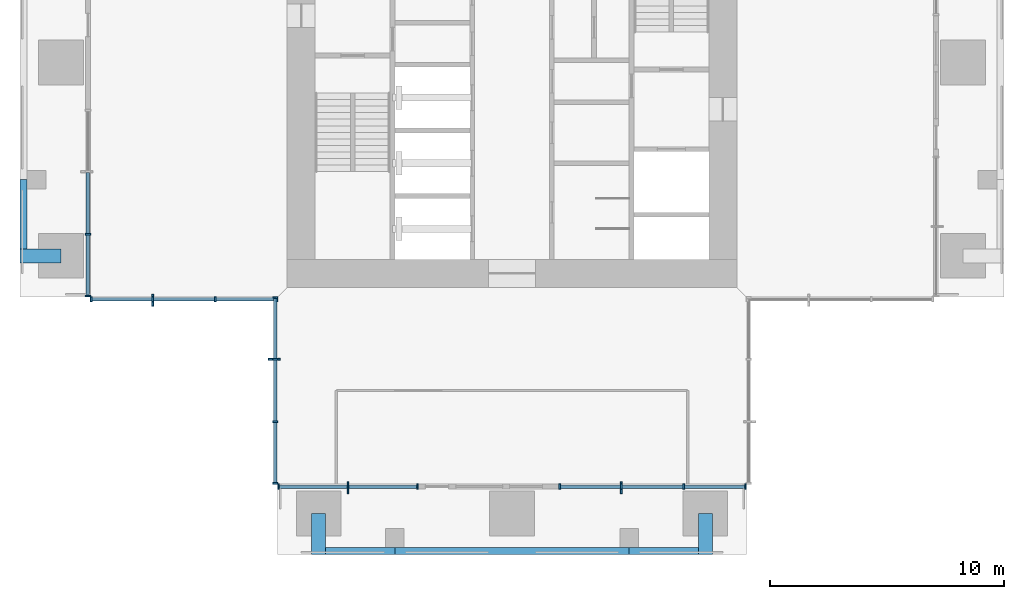
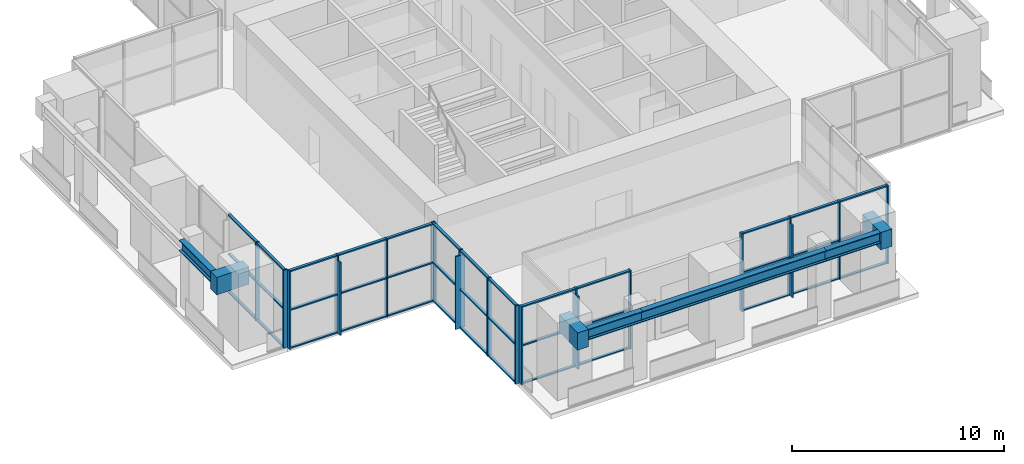
# One storey, part 2 of 11: 60 members, 7 beams, 5 elements without a shape of their own.
"""IFC4 building model written with IfcOpenShell, lengths in metres."""

import ifcopenshell
import ifcopenshell.guid

model = None  # the IFC model being written
_history = None  # IfcOwnerHistory: only IFC2X3 demands one
_inside = {}  # id of a spatial element -> (the spatial element, [elements in it])
_under = {}  # id of a project, library or spatial element -> (it, [spatial elements below it])
_declared = {}  # id of a project -> (the project, [libraries it declares])
_typed = {}  # id of a type object -> (the type object, [elements of that type])
_made_of = {}  # id of a material, layer set ... -> (it, [elements and type objects made of it])


def new_model(schema):
    """Start an empty IFC model of exactly this schema.

    Asked for "IFC4X3", IfcOpenShell would pick the latest addendum, in which some entities
    have other attributes; the version numbers below select the first issue.
    IFC2X3 requires an IfcOwnerHistory on every rooted entity: one is made here for all.
    """
    global model, _history
    if schema == "IFC4X3":
        model = ifcopenshell.file(schema_version=(4, 3, 0, 0))
    else:
        model = ifcopenshell.file(schema=schema)
    _inside.clear()
    _under.clear()
    _declared.clear()
    _typed.clear()
    _made_of.clear()
    _history = None
    if model.schema == "IFC2X3":
        org = make("IfcOrganization", Name="unknown")
        user = make(
            "IfcPersonAndOrganization",
            ThePerson=make("IfcPerson", FamilyName="unknown"),
            TheOrganization=org,
        )
        app = make(
            "IfcApplication",
            ApplicationDeveloper=org,
            Version="unknown",
            ApplicationFullName="unknown",
            ApplicationIdentifier="unknown",
        )
        _history = make(
            "IfcOwnerHistory",
            OwningUser=user,
            OwningApplication=app,
            ChangeAction="ADDED",
            CreationDate=0,
        )
    return model


def make(cls, **values):
    """One entity of the class cls with the attributes given. An attribute that is None is left unset."""
    return model.create_entity(
        cls, **{name: value for name, value in values.items() if value is not None}
    )


def rooted(cls, **values):
    """An entity with a GlobalId (a new one), such as an element, a storey or a relation."""
    return make(cls, GlobalId=ifcopenshell.guid.new(), OwnerHistory=_history, **values)


def si_unit(unit_type, name, prefix=None):
    """IfcSIUnit, for example si_unit("LENGTHUNIT", "METRE", prefix="MILLI")."""
    return make("IfcSIUnit", UnitType=unit_type, Prefix=prefix, Name=name)


def assignment(units):
    """IfcUnitAssignment: the units of a project."""
    return None if units is None else make("IfcUnitAssignment", Units=units)


def point(xyz):
    """IfcCartesianPoint."""
    return None if xyz is None else make("IfcCartesianPoint", Coordinates=xyz)


def direction(xyz):
    """IfcDirection."""
    return None if xyz is None else make("IfcDirection", DirectionRatios=xyz)


def frame(location, z_axis=None, x_axis=None):
    """IfcAxis2Placement3D, a coordinate frame: its origin and axes. An axis left out is left unset."""
    return make(
        "IfcAxis2Placement3D",
        Location=point(location),
        Axis=direction(z_axis),
        RefDirection=direction(x_axis),
    )


def frame_2d(location, x_axis=None):
    """IfcAxis2Placement2D, a coordinate frame in the plane: its origin and x axis."""
    return make(
        "IfcAxis2Placement2D", Location=point(location), RefDirection=direction(x_axis)
    )


def origin():
    """The frame at (0, 0, 0) with its axes left unset."""
    return frame((0.0, 0.0, 0.0))


def origin_2d():
    """The frame at (0, 0) in the plane with its x axis left unset."""
    return frame_2d((0.0, 0.0))


def place(relative_to, where):
    """IfcLocalPlacement: puts the frame where relative to a parent placement (None: the world)."""
    return make(
        "IfcLocalPlacement", PlacementRelTo=relative_to, RelativePlacement=where
    )


def context(
    kind, dimensions, precision=None, world=None, true_north=None, identifier=None
):
    """IfcGeometricRepresentationContext, for example the 3D "Model" context."""
    return make(
        "IfcGeometricRepresentationContext",
        ContextIdentifier=identifier,
        ContextType=kind,
        CoordinateSpaceDimension=dimensions,
        Precision=precision,
        WorldCoordinateSystem=world,
        TrueNorth=true_north,
    )


def subcontext(parent, identifier, kind, view, scale=None):
    """IfcGeometricRepresentationSubContext, for example "Body" below "Model"."""
    return make(
        "IfcGeometricRepresentationSubContext",
        ContextIdentifier=identifier,
        ContextType=kind,
        ParentContext=parent,
        TargetScale=scale,
        TargetView=view,
    )


def project(units=None, contexts=None):
    """IfcProject with its units and contexts."""
    return rooted(
        "IfcProject",
        Name="project",
        RepresentationContexts=contexts,
        UnitsInContext=assignment(units),
    )


def spatial(cls, under=None, at=None, **own):
    """A site, building, storey or space (cls), placed at a placement, below another one or the project."""
    s = rooted(cls, ObjectPlacement=at, **own)
    if under is not None:
        _under.setdefault(under.id(), (under, []))[1].append(s)
    return s


def profile(cls, at=None, kind="AREA", **sizes):
    """A parametric profile (cls). Its sizes go by their IFC names, for example OverallWidth=200.0."""
    return make(cls, ProfileType=kind, Position=at, **sizes)


def rectangle(**sizes):
    """IfcRectangleProfileDef."""
    return profile("IfcRectangleProfileDef", **sizes)


def i_section(**sizes):
    """IfcIShapeProfileDef."""
    return profile("IfcIShapeProfileDef", **sizes)


def extrude(swept, where, along, depth):
    """IfcExtrudedAreaSolid: the profile swept, set in the frame where, extruded along a direction by depth."""
    return make(
        "IfcExtrudedAreaSolid",
        SweptArea=swept,
        Position=where,
        ExtrudedDirection=direction(along),
        Depth=depth,
    )


def shape(context_of_items, identifier, shape_type, items):
    """IfcShapeRepresentation: the items that make up one representation, for example the "Body"."""
    return make(
        "IfcShapeRepresentation",
        ContextOfItems=context_of_items,
        RepresentationIdentifier=identifier,
        RepresentationType=shape_type,
        Items=items,
    )


def material(Name=None, Category=None):
    """IfcMaterial."""
    return make("IfcMaterial", Name=Name, Category=Category)


def material_profile(
    of_material, cross_section, Name=None, Category=None, Priority=None
):
    """IfcMaterialProfile: a cross section and its material."""
    return make(
        "IfcMaterialProfile",
        Name=Name,
        Material=of_material,
        Profile=cross_section,
        Priority=Priority,
        Category=Category,
    )


def profile_set(profiles, Name=None, composite=None):
    """IfcMaterialProfileSet."""
    return make(
        "IfcMaterialProfileSet",
        Name=Name,
        MaterialProfiles=profiles,
        CompositeProfile=composite,
    )


def made_of(thing, what):
    """Note that an element or type object is made of a material, layer set ...; save() writes the relation."""
    if what is not None:
        _made_of.setdefault(what.id(), (what, []))[1].append(thing)
    return thing


def type_object(cls, material=None, **own):
    """A type object (cls), such as IfcWallType, which elements share."""
    return made_of(rooted(cls, **own), material)


def element(
    cls,
    number,
    at=None,
    inside=None,
    cuts=None,
    type_object=None,
    material=None,
    context=None,
    identifier="Body",
    shape_type=None,
    held_by="IfcProductDefinitionShape",
    body=None,
    shapes=None,
    **own,
):
    """One element of the class cls, such as IfcWall. Its Tag is "e" and its number.

    at: its placement. inside: the storey or other place that contains it. cuts: it is an
    opening in that element (IfcRelVoidsElement). A single representation is given by context,
    identifier, shape_type and body (its items); several are given by shapes. held_by: the class
    of the entity that holds the representations. save() writes the other relations.
    """
    e = rooted(cls, Tag="e%d" % number, ObjectPlacement=at, **own)
    if body is not None:
        shapes = [shape(context, identifier, shape_type, body)]
    if shapes is not None:
        e.Representation = make(held_by, Representations=shapes)
    if inside is not None:
        _inside.setdefault(inside.id(), (inside, []))[1].append(e)
    if cuts is not None:
        rooted(
            "IfcRelVoidsElement", RelatingBuildingElement=cuts, RelatedOpeningElement=e
        )
    if type_object is not None:
        _typed.setdefault(type_object.id(), (type_object, []))[1].append(e)
    return made_of(e, material)


def aggregate(whole, parts):
    """IfcRelAggregates: a whole, such as a stair, and the parts it consists of."""
    return rooted("IfcRelAggregates", RelatingObject=whole, RelatedObjects=parts)


def save(model, path):
    """Write the relations noted so far, then the file.

    IfcRelAggregates (storeys below a building ...), IfcRelContainedInSpatialStructure (elements
    in a storey), IfcRelDefinesByType, IfcRelAssociatesMaterial and IfcRelDeclares: one each for
    every whole, place, type object, material and project.
    """
    for whole, parts in _under.values():
        aggregate(whole, parts)
    for where, things in _inside.values():
        rooted(
            "IfcRelContainedInSpatialStructure",
            RelatedElements=things,
            RelatingStructure=where,
        )
    for kind, things in _typed.values():
        rooted("IfcRelDefinesByType", RelatedObjects=things, RelatingType=kind)
    for what, things in _made_of.values():
        rooted("IfcRelAssociatesMaterial", RelatedObjects=things, RelatingMaterial=what)
    for by, libraries in _declared.values():
        rooted("IfcRelDeclares", RelatingContext=by, RelatedDefinitions=libraries)
    model.write(path)


model = new_model("IFC4")

# Units and contexts
model_context = context("Model", 3, precision=1e-05, world=origin(), true_north=direction((0.0, 1.0)))
body_context = subcontext(model_context, "Body", "Model", "MODEL_VIEW")
ifc_project = project(units=[si_unit("LENGTHUNIT", "METRE"), si_unit("AREAUNIT", "SQUARE_METRE"), si_unit("VOLUMEUNIT", "CUBIC_METRE"), si_unit("PLANEANGLEUNIT", "RADIAN"), si_unit("MASSUNIT", "GRAM", prefix="KILO")], contexts=[model_context])

# Site, building, storey
site_placement = place(None, origin())
site = spatial("IfcSite", under=ifc_project, at=site_placement, CompositionType="ELEMENT")
building_placement = place(site_placement, origin())
building = spatial("IfcBuilding", under=site, at=building_placement, Name="Svetlomir Tower", CompositionType="ELEMENT")
storey_placement = place(building_placement, frame((0.0, 0.0, 273.39990234375)))
storey = spatial("IfcBuildingStorey", under=building, at=storey_placement, Name="L65", CompositionType="ELEMENT", Elevation=273.39990234375)

# Curtain wall, member
ifc_material_1 = material(Name="Bronze anodised aluminium curtain wall", Category="aluminium")
curtain_wall_type = type_object("IfcCurtainWallType", Name="CURTAIN WALL CW4 EXECUTIVE", PredefinedType="NOTDEFINED", material=ifc_material_1)
curtain_wall_1_placement = place(storey_placement, origin())
curtain_wall_1 = element("IfcCurtainWall", 1, at=curtain_wall_1_placement, inside=storey, type_object=curtain_wall_type, Name="Curtain wall CW4 L65", PredefinedType="NOTDEFINED")
ifc_material_2 = material(Name="Bronze anodised aluminium", Category="aluminium")
ifc_material_profile_1 = material_profile(ifc_material_2, rectangle(XDim=0.080078125, YDim=0.5, at=origin_2d()), Name="FIN 80x500")
ifc_profile_set_1 = profile_set([ifc_material_profile_1], Name="Bronze anodised aluminium 6063-T6")
member_type_1 = type_object("IfcMemberType", Name="BRONZE FIN 80x500", PredefinedType="USERDEFINED", material=ifc_profile_set_1)
member_1_placement = place(storey_placement, frame((14.0, 2.85009765625, 0.0), z_axis=(0.0, 0.0, 1.0), x_axis=(1.0, 0.0, 0.0)))
member_1 = element("IfcMember", 2, at=member_1_placement, type_object=member_type_1, Name="Bronze fin L65", ObjectType="FIN", PredefinedType="USERDEFINED", context=body_context, shape_type="SweptSolid", body=[
    extrude(rectangle(XDim=0.080078125, YDim=0.5, at=origin_2d()), origin(), (0.0, 0.0, 1.0), 4.2001953125),
])

curtain_wall_2_placement = place(storey_placement, origin())
curtain_wall_2 = element("IfcCurtainWall", 3, at=curtain_wall_2_placement, inside=storey, type_object=curtain_wall_type, Name="Curtain wall CW4 L65", PredefinedType="NOTDEFINED")
member_2_placement = place(storey_placement, frame((25.666748046875, 2.85009765625, 0.0), z_axis=(0.0, 0.0, 1.0), x_axis=(1.0, 0.0, 0.0)))
member_2 = element("IfcMember", 4, at=member_2_placement, type_object=member_type_1, Name="Bronze fin L65", ObjectType="FIN", PredefinedType="USERDEFINED", context=body_context, shape_type="SweptSolid", body=[
    extrude(rectangle(XDim=0.080078125, YDim=0.5, at=origin_2d()), origin(), (0.0, 0.0, 1.0), 4.2001953125),
])

curtain_wall_3_placement = place(storey_placement, origin())
curtain_wall_3 = element("IfcCurtainWall", 5, at=curtain_wall_3_placement, inside=storey, type_object=curtain_wall_type, Name="Curtain wall CW4 L65", PredefinedType="NOTDEFINED")
member_3_placement = place(storey_placement, frame((5.666748046875, 10.85009765625, 0.0), z_axis=(0.0, 0.0, 1.0), x_axis=(1.0, 0.0, 0.0)))
member_3 = element("IfcMember", 6, at=member_3_placement, type_object=member_type_1, Name="Bronze fin L65", ObjectType="FIN", PredefinedType="USERDEFINED", context=body_context, shape_type="SweptSolid", body=[
    extrude(rectangle(XDim=0.080078125, YDim=0.5, at=origin_2d()), origin(), (0.0, 0.0, 1.0), 4.2001953125),
])

curtain_wall_4_placement = place(storey_placement, origin())
curtain_wall_4 = element("IfcCurtainWall", 7, at=curtain_wall_4_placement, inside=storey, type_object=curtain_wall_type, Name="Curtain wall CW4 L65", PredefinedType="NOTDEFINED")
member_4_placement = place(storey_placement, frame((10.85009765625, 8.333251953125, 0.0), z_axis=(0.0, 0.0, 1.0), x_axis=(0.0, 1.0, 0.0)))
member_4 = element("IfcMember", 8, at=member_4_placement, type_object=member_type_1, Name="Bronze fin L65", ObjectType="FIN", PredefinedType="USERDEFINED", context=body_context, shape_type="SweptSolid", body=[
    extrude(rectangle(XDim=0.080078125, YDim=0.5, at=origin_2d()), origin(), (0.0, 0.0, 1.0), 4.2001953125),
])

# Member
ifc_material_3 = material(Name="Bronze anodised aluminium", Category="aluminium")
ifc_material_profile_2 = material_profile(ifc_material_3, rectangle(XDim=0.074951171875, YDim=0.219970703125, at=origin_2d()), Name="AL 75x220")
ifc_profile_set_2 = profile_set([ifc_material_profile_2], Name="Bronze anodised aluminium 6063-T6")
member_type_2 = type_object("IfcMemberType", Name="CW4 MULLION 75x220", PredefinedType="MULLION", material=ifc_profile_set_2)
member_5_placement = place(storey_placement, frame((11.03759765625, 2.89990234375, 0.0), z_axis=(0.0, 0.0, 1.0), x_axis=(1.0, 0.0, 0.0)))
member_5 = element("IfcMember", 9, at=member_5_placement, type_object=member_type_2, Name="CW4 mullion 1", PredefinedType="MULLION", context=body_context, shape_type="SweptSolid", body=[
    extrude(rectangle(XDim=0.074951171875, YDim=0.219970703125, at=origin_2d()), origin(), (0.0, 0.0, 1.0), 4.5),
])

member_6_placement = place(storey_placement, frame((14.0, 2.89990234375, 0.0), z_axis=(0.0, 0.0, 1.0), x_axis=(1.0, 0.0, 0.0)))
member_6 = element("IfcMember", 10, at=member_6_placement, type_object=member_type_2, Name="CW4 mullion 2", PredefinedType="MULLION", context=body_context, shape_type="SweptSolid", body=[
    extrude(rectangle(XDim=0.074951171875, YDim=0.219970703125, at=origin_2d()), origin(), (0.0, 0.0, 1.0), 4.5),
])

member_7_placement = place(storey_placement, frame((16.96240234375, 2.89990234375, 0.0), z_axis=(0.0, 0.0, 1.0), x_axis=(1.0, 0.0, 0.0)))
member_7 = element("IfcMember", 11, at=member_7_placement, type_object=member_type_2, Name="CW4 mullion 3", PredefinedType="MULLION", context=body_context, shape_type="SweptSolid", body=[
    extrude(rectangle(XDim=0.074951171875, YDim=0.219970703125, at=origin_2d()), origin(), (0.0, 0.0, 1.0), 4.5),
])

member_8_placement = place(storey_placement, frame((23.03759765625, 2.89990234375, 0.0), z_axis=(0.0, 0.0, 1.0), x_axis=(1.0, 0.0, 0.0)))
member_8 = element("IfcMember", 12, at=member_8_placement, type_object=member_type_2, Name="CW4 mullion 1", PredefinedType="MULLION", context=body_context, shape_type="SweptSolid", body=[
    extrude(rectangle(XDim=0.074951171875, YDim=0.219970703125, at=origin_2d()), origin(), (0.0, 0.0, 1.0), 4.5),
])

member_9_placement = place(storey_placement, frame((25.666748046875, 2.89990234375, 0.0), z_axis=(0.0, 0.0, 1.0), x_axis=(1.0, 0.0, 0.0)))
member_9 = element("IfcMember", 13, at=member_9_placement, type_object=member_type_2, Name="CW4 mullion 2", PredefinedType="MULLION", context=body_context, shape_type="SweptSolid", body=[
    extrude(rectangle(XDim=0.074951171875, YDim=0.219970703125, at=origin_2d()), origin(), (0.0, 0.0, 1.0), 4.5),
])

member_10_placement = place(storey_placement, frame((28.333251953125, 2.89990234375, 0.0), z_axis=(0.0, 0.0, 1.0), x_axis=(1.0, 0.0, 0.0)))
member_10 = element("IfcMember", 14, at=member_10_placement, type_object=member_type_2, Name="CW4 mullion 3", PredefinedType="MULLION", context=body_context, shape_type="SweptSolid", body=[
    extrude(rectangle(XDim=0.074951171875, YDim=0.219970703125, at=origin_2d()), origin(), (0.0, 0.0, 1.0), 4.5),
])

member_11_placement = place(storey_placement, frame((30.96240234375, 2.89990234375, 0.0), z_axis=(0.0, 0.0, 1.0), x_axis=(1.0, 0.0, 0.0)))
member_11 = element("IfcMember", 15, at=member_11_placement, type_object=member_type_2, Name="CW4 mullion 4", PredefinedType="MULLION", context=body_context, shape_type="SweptSolid", body=[
    extrude(rectangle(XDim=0.074951171875, YDim=0.219970703125, at=origin_2d()), origin(), (0.0, 0.0, 1.0), 4.5),
])

# Curtain wall, members
curtain_wall_5_placement = place(storey_placement, origin())
curtain_wall_5 = element("IfcCurtainWall", 16, at=curtain_wall_5_placement, inside=storey, type_object=curtain_wall_type, Name="Curtain wall CW4 L65", PredefinedType="NOTDEFINED")
member_12_placement = place(storey_placement, frame((2.89990234375, 13.666748046875, 0.0), z_axis=(0.0, 0.0, 1.0), x_axis=(0.0, -1.0, 0.0)))
member_12 = element("IfcMember", 17, at=member_12_placement, type_object=member_type_2, Name="CW4 mullion 3", PredefinedType="MULLION", context=body_context, shape_type="SweptSolid", body=[
    extrude(rectangle(XDim=0.074951171875, YDim=0.219970703125, at=origin_2d()), origin(), (0.0, 0.0, 1.0), 4.5),
])
member_13_placement = place(storey_placement, frame((2.89990234375, 11.03759765625, 0.0), z_axis=(0.0, 0.0, 1.0), x_axis=(0.0, -1.0, 0.0)))
member_13 = element("IfcMember", 18, at=member_13_placement, type_object=member_type_2, Name="CW4 mullion 4", PredefinedType="MULLION", context=body_context, shape_type="SweptSolid", body=[
    extrude(rectangle(XDim=0.074951171875, YDim=0.219970703125, at=origin_2d()), origin(), (0.0, 0.0, 1.0), 4.5),
])

# Member
member_14_placement = place(storey_placement, frame((3.03759765625, 10.89990234375, 0.0), z_axis=(0.0, 0.0, 1.0), x_axis=(1.0, 0.0, 0.0)))
member_14 = element("IfcMember", 19, at=member_14_placement, type_object=member_type_2, Name="CW4 mullion 1", PredefinedType="MULLION", context=body_context, shape_type="SweptSolid", body=[
    extrude(rectangle(XDim=0.074951171875, YDim=0.219970703125, at=origin_2d()), origin(), (0.0, 0.0, 1.0), 4.5),
])

member_15_placement = place(storey_placement, frame((5.666748046875, 10.89990234375, 0.0), z_axis=(0.0, 0.0, 1.0), x_axis=(1.0, 0.0, 0.0)))
member_15 = element("IfcMember", 20, at=member_15_placement, type_object=member_type_2, Name="CW4 mullion 2", PredefinedType="MULLION", context=body_context, shape_type="SweptSolid", body=[
    extrude(rectangle(XDim=0.074951171875, YDim=0.219970703125, at=origin_2d()), origin(), (0.0, 0.0, 1.0), 4.5),
])

member_16_placement = place(storey_placement, frame((8.333251953125, 10.89990234375, 0.0), z_axis=(0.0, 0.0, 1.0), x_axis=(1.0, 0.0, 0.0)))
member_16 = element("IfcMember", 21, at=member_16_placement, type_object=member_type_2, Name="CW4 mullion 3", PredefinedType="MULLION", context=body_context, shape_type="SweptSolid", body=[
    extrude(rectangle(XDim=0.074951171875, YDim=0.219970703125, at=origin_2d()), origin(), (0.0, 0.0, 1.0), 4.5),
])

member_17_placement = place(storey_placement, frame((10.96240234375, 10.89990234375, 0.0), z_axis=(0.0, 0.0, 1.0), x_axis=(1.0, 0.0, 0.0)))
member_17 = element("IfcMember", 22, at=member_17_placement, type_object=member_type_2, Name="CW4 mullion 4", PredefinedType="MULLION", context=body_context, shape_type="SweptSolid", body=[
    extrude(rectangle(XDim=0.074951171875, YDim=0.219970703125, at=origin_2d()), origin(), (0.0, 0.0, 1.0), 4.5),
])

member_18_placement = place(storey_placement, frame((10.89990234375, 10.96240234375, 0.0), z_axis=(0.0, 0.0, 1.0), x_axis=(0.0, -1.0, 0.0)))
member_18 = element("IfcMember", 23, at=member_18_placement, type_object=member_type_2, Name="CW4 mullion 1", PredefinedType="MULLION", context=body_context, shape_type="SweptSolid", body=[
    extrude(rectangle(XDim=0.074951171875, YDim=0.219970703125, at=origin_2d()), origin(), (0.0, 0.0, 1.0), 4.5),
])

member_19_placement = place(storey_placement, frame((10.89990234375, 8.333251953125, 0.0), z_axis=(0.0, 0.0, 1.0), x_axis=(0.0, -1.0, 0.0)))
member_19 = element("IfcMember", 24, at=member_19_placement, type_object=member_type_2, Name="CW4 mullion 2", PredefinedType="MULLION", context=body_context, shape_type="SweptSolid", body=[
    extrude(rectangle(XDim=0.074951171875, YDim=0.219970703125, at=origin_2d()), origin(), (0.0, 0.0, 1.0), 4.5),
])

member_20_placement = place(storey_placement, frame((10.89990234375, 5.666748046875, 0.0), z_axis=(0.0, 0.0, 1.0), x_axis=(0.0, -1.0, 0.0)))
member_20 = element("IfcMember", 25, at=member_20_placement, type_object=member_type_2, Name="CW4 mullion 3", PredefinedType="MULLION", context=body_context, shape_type="SweptSolid", body=[
    extrude(rectangle(XDim=0.074951171875, YDim=0.219970703125, at=origin_2d()), origin(), (0.0, 0.0, 1.0), 4.5),
])

member_21_placement = place(storey_placement, frame((10.89990234375, 3.03759765625, 0.0), z_axis=(0.0, 0.0, 1.0), x_axis=(0.0, -1.0, 0.0)))
member_21 = element("IfcMember", 26, at=member_21_placement, type_object=member_type_2, Name="CW4 mullion 4", PredefinedType="MULLION", context=body_context, shape_type="SweptSolid", body=[
    extrude(rectangle(XDim=0.074951171875, YDim=0.219970703125, at=origin_2d()), origin(), (0.0, 0.0, 1.0), 4.5),
])

ifc_material_4 = material(Name="Bronze anodised aluminium", Category="aluminium")
ifc_material_profile_3 = material_profile(ifc_material_4, rectangle(XDim=0.14990234375, YDim=0.074951171875, at=origin_2d()), Name="AL 150x75")
ifc_profile_set_3 = profile_set([ifc_material_profile_3], Name="Bronze anodised aluminium 6063-T6")
member_type_3 = type_object("IfcMemberType", Name="CW4 TRANSOM 75x150", PredefinedType="USERDEFINED", material=ifc_profile_set_3)
member_22_placement = place(storey_placement, frame((11.074951171875, 2.89990234375, 0.03759765625), z_axis=(1.0, 0.0, 0.0), x_axis=(0.0, 1.0, 0.0)))
member_22 = element("IfcMember", 27, at=member_22_placement, type_object=member_type_3, Name="CW4 transom 1.1", ObjectType="TRANSOM", PredefinedType="USERDEFINED", context=body_context, shape_type="SweptSolid", body=[
    extrude(rectangle(XDim=0.14990234375, YDim=0.074951171875, at=origin_2d()), origin(), (0.0, 0.0, 1.0), 2.887451171875),
])

member_23_placement = place(storey_placement, frame((11.074951171875, 2.89990234375, 2.231201171875), z_axis=(1.0, 0.0, 0.0), x_axis=(0.0, 1.0, 0.0)))
member_23 = element("IfcMember", 28, at=member_23_placement, type_object=member_type_3, Name="CW4 transom 1.2", ObjectType="TRANSOM", PredefinedType="USERDEFINED", context=body_context, shape_type="SweptSolid", body=[
    extrude(rectangle(XDim=0.14990234375, YDim=0.074951171875, at=origin_2d()), origin(), (0.0, 0.0, 1.0), 2.887451171875),
])

member_24_placement = place(storey_placement, frame((11.074951171875, 2.89990234375, 4.462646484375), z_axis=(1.0, 0.0, 0.0), x_axis=(0.0, 1.0, 0.0)))
member_24 = element("IfcMember", 29, at=member_24_placement, type_object=member_type_3, Name="CW4 transom 1.3", ObjectType="TRANSOM", PredefinedType="USERDEFINED", context=body_context, shape_type="SweptSolid", body=[
    extrude(rectangle(XDim=0.14990234375, YDim=0.074951171875, at=origin_2d()), origin(), (0.0, 0.0, 1.0), 2.887451171875),
])

member_25_placement = place(storey_placement, frame((14.03759765625, 2.89990234375, 0.03759765625), z_axis=(1.0, 0.0, 0.0), x_axis=(0.0, 1.0, 0.0)))
member_25 = element("IfcMember", 30, at=member_25_placement, type_object=member_type_3, Name="CW4 transom 2.1", ObjectType="TRANSOM", PredefinedType="USERDEFINED", context=body_context, shape_type="SweptSolid", body=[
    extrude(rectangle(XDim=0.14990234375, YDim=0.074951171875, at=origin_2d()), origin(), (0.0, 0.0, 1.0), 2.887451171875),
])

member_26_placement = place(storey_placement, frame((14.03759765625, 2.89990234375, 2.231201171875), z_axis=(1.0, 0.0, 0.0), x_axis=(0.0, 1.0, 0.0)))
member_26 = element("IfcMember", 31, at=member_26_placement, type_object=member_type_3, Name="CW4 transom 2.2", ObjectType="TRANSOM", PredefinedType="USERDEFINED", context=body_context, shape_type="SweptSolid", body=[
    extrude(rectangle(XDim=0.14990234375, YDim=0.074951171875, at=origin_2d()), origin(), (0.0, 0.0, 1.0), 2.887451171875),
])

member_27_placement = place(storey_placement, frame((14.03759765625, 2.89990234375, 4.462646484375), z_axis=(1.0, 0.0, 0.0), x_axis=(0.0, 1.0, 0.0)))
member_27 = element("IfcMember", 32, at=member_27_placement, type_object=member_type_3, Name="CW4 transom 2.3", ObjectType="TRANSOM", PredefinedType="USERDEFINED", context=body_context, shape_type="SweptSolid", body=[
    extrude(rectangle(XDim=0.14990234375, YDim=0.074951171875, at=origin_2d()), origin(), (0.0, 0.0, 1.0), 2.887451171875),
])

aggregate(curtain_wall_1, [member_5, member_6, member_7, member_22, member_23, member_24, member_25, member_26, member_27, member_1])

member_28_placement = place(storey_placement, frame((23.074951171875, 2.89990234375, 0.03759765625), z_axis=(1.0, 0.0, 0.0), x_axis=(0.0, 1.0, 0.0)))
member_28 = element("IfcMember", 33, at=member_28_placement, type_object=member_type_3, Name="CW4 transom 1.1", ObjectType="TRANSOM", PredefinedType="USERDEFINED", context=body_context, shape_type="SweptSolid", body=[
    extrude(rectangle(XDim=0.14990234375, YDim=0.074951171875, at=origin_2d()), origin(), (0.0, 0.0, 1.0), 2.55419921875),
])

member_29_placement = place(storey_placement, frame((23.074951171875, 2.89990234375, 2.231201171875), z_axis=(1.0, 0.0, 0.0), x_axis=(0.0, 1.0, 0.0)))
member_29 = element("IfcMember", 34, at=member_29_placement, type_object=member_type_3, Name="CW4 transom 1.2", ObjectType="TRANSOM", PredefinedType="USERDEFINED", context=body_context, shape_type="SweptSolid", body=[
    extrude(rectangle(XDim=0.14990234375, YDim=0.074951171875, at=origin_2d()), origin(), (0.0, 0.0, 1.0), 2.55419921875),
])

member_30_placement = place(storey_placement, frame((23.074951171875, 2.89990234375, 4.462646484375), z_axis=(1.0, 0.0, 0.0), x_axis=(0.0, 1.0, 0.0)))
member_30 = element("IfcMember", 35, at=member_30_placement, type_object=member_type_3, Name="CW4 transom 1.3", ObjectType="TRANSOM", PredefinedType="USERDEFINED", context=body_context, shape_type="SweptSolid", body=[
    extrude(rectangle(XDim=0.14990234375, YDim=0.074951171875, at=origin_2d()), origin(), (0.0, 0.0, 1.0), 2.55419921875),
])

member_31_placement = place(storey_placement, frame((25.7041015625, 2.89990234375, 0.03759765625), z_axis=(1.0, 0.0, 0.0), x_axis=(0.0, 1.0, 0.0)))
member_31 = element("IfcMember", 36, at=member_31_placement, type_object=member_type_3, Name="CW4 transom 2.1", ObjectType="TRANSOM", PredefinedType="USERDEFINED", context=body_context, shape_type="SweptSolid", body=[
    extrude(rectangle(XDim=0.14990234375, YDim=0.074951171875, at=origin_2d()), origin(), (0.0, 0.0, 1.0), 2.591796875),
])

member_32_placement = place(storey_placement, frame((25.7041015625, 2.89990234375, 2.231201171875), z_axis=(1.0, 0.0, 0.0), x_axis=(0.0, 1.0, 0.0)))
member_32 = element("IfcMember", 37, at=member_32_placement, type_object=member_type_3, Name="CW4 transom 2.2", ObjectType="TRANSOM", PredefinedType="USERDEFINED", context=body_context, shape_type="SweptSolid", body=[
    extrude(rectangle(XDim=0.14990234375, YDim=0.074951171875, at=origin_2d()), origin(), (0.0, 0.0, 1.0), 2.591796875),
])

member_33_placement = place(storey_placement, frame((25.7041015625, 2.89990234375, 4.462646484375), z_axis=(1.0, 0.0, 0.0), x_axis=(0.0, 1.0, 0.0)))
member_33 = element("IfcMember", 38, at=member_33_placement, type_object=member_type_3, Name="CW4 transom 2.3", ObjectType="TRANSOM", PredefinedType="USERDEFINED", context=body_context, shape_type="SweptSolid", body=[
    extrude(rectangle(XDim=0.14990234375, YDim=0.074951171875, at=origin_2d()), origin(), (0.0, 0.0, 1.0), 2.591796875),
])

member_34_placement = place(storey_placement, frame((28.370849609375, 2.89990234375, 0.03759765625), z_axis=(1.0, 0.0, 0.0), x_axis=(0.0, 1.0, 0.0)))
member_34 = element("IfcMember", 39, at=member_34_placement, type_object=member_type_3, Name="CW4 transom 3.1", ObjectType="TRANSOM", PredefinedType="USERDEFINED", context=body_context, shape_type="SweptSolid", body=[
    extrude(rectangle(XDim=0.14990234375, YDim=0.074951171875, at=origin_2d()), origin(), (0.0, 0.0, 1.0), 2.55419921875),
])

member_35_placement = place(storey_placement, frame((28.370849609375, 2.89990234375, 2.231201171875), z_axis=(1.0, 0.0, 0.0), x_axis=(0.0, 1.0, 0.0)))
member_35 = element("IfcMember", 40, at=member_35_placement, type_object=member_type_3, Name="CW4 transom 3.2", ObjectType="TRANSOM", PredefinedType="USERDEFINED", context=body_context, shape_type="SweptSolid", body=[
    extrude(rectangle(XDim=0.14990234375, YDim=0.074951171875, at=origin_2d()), origin(), (0.0, 0.0, 1.0), 2.55419921875),
])

member_36_placement = place(storey_placement, frame((28.370849609375, 2.89990234375, 4.462646484375), z_axis=(1.0, 0.0, 0.0), x_axis=(0.0, 1.0, 0.0)))
member_36 = element("IfcMember", 41, at=member_36_placement, type_object=member_type_3, Name="CW4 transom 3.3", ObjectType="TRANSOM", PredefinedType="USERDEFINED", context=body_context, shape_type="SweptSolid", body=[
    extrude(rectangle(XDim=0.14990234375, YDim=0.074951171875, at=origin_2d()), origin(), (0.0, 0.0, 1.0), 2.55419921875),
])

aggregate(curtain_wall_2, [member_8, member_9, member_10, member_11, member_28, member_29, member_30, member_31, member_32, member_33, member_34, member_35, member_36, member_2])

member_37_placement = place(storey_placement, frame((2.89990234375, 16.2958984375, 0.03759765625), z_axis=(0.0, -1.0, 0.0), x_axis=(1.0, 0.0, 0.0)))
member_37 = element("IfcMember", 42, at=member_37_placement, type_object=member_type_3, Name="CW4 transom 2.1", ObjectType="TRANSOM", PredefinedType="USERDEFINED", context=body_context, shape_type="SweptSolid", body=[
    extrude(rectangle(XDim=0.14990234375, YDim=0.074951171875, at=origin_2d()), origin(), (0.0, 0.0, 1.0), 2.591796875),
])

member_38_placement = place(storey_placement, frame((2.89990234375, 16.2958984375, 2.231201171875), z_axis=(0.0, -1.0, 0.0), x_axis=(1.0, 0.0, 0.0)))
member_38 = element("IfcMember", 43, at=member_38_placement, type_object=member_type_3, Name="CW4 transom 2.2", ObjectType="TRANSOM", PredefinedType="USERDEFINED", context=body_context, shape_type="SweptSolid", body=[
    extrude(rectangle(XDim=0.14990234375, YDim=0.074951171875, at=origin_2d()), origin(), (0.0, 0.0, 1.0), 2.591796875),
])

member_39_placement = place(storey_placement, frame((2.89990234375, 16.2958984375, 4.462646484375), z_axis=(0.0, -1.0, 0.0), x_axis=(1.0, 0.0, 0.0)))
member_39 = element("IfcMember", 44, at=member_39_placement, type_object=member_type_3, Name="CW4 transom 2.3", ObjectType="TRANSOM", PredefinedType="USERDEFINED", context=body_context, shape_type="SweptSolid", body=[
    extrude(rectangle(XDim=0.14990234375, YDim=0.074951171875, at=origin_2d()), origin(), (0.0, 0.0, 1.0), 2.591796875),
])

member_40_placement = place(storey_placement, frame((2.89990234375, 13.629150390625, 0.03759765625), z_axis=(0.0, -1.0, 0.0), x_axis=(1.0, 0.0, 0.0)))
member_40 = element("IfcMember", 45, at=member_40_placement, type_object=member_type_3, Name="CW4 transom 3.1", ObjectType="TRANSOM", PredefinedType="USERDEFINED", context=body_context, shape_type="SweptSolid", body=[
    extrude(rectangle(XDim=0.14990234375, YDim=0.074951171875, at=origin_2d()), origin(), (0.0, 0.0, 1.0), 2.55419921875),
])

member_41_placement = place(storey_placement, frame((2.89990234375, 13.629150390625, 2.231201171875), z_axis=(0.0, -1.0, 0.0), x_axis=(1.0, 0.0, 0.0)))
member_41 = element("IfcMember", 46, at=member_41_placement, type_object=member_type_3, Name="CW4 transom 3.2", ObjectType="TRANSOM", PredefinedType="USERDEFINED", context=body_context, shape_type="SweptSolid", body=[
    extrude(rectangle(XDim=0.14990234375, YDim=0.074951171875, at=origin_2d()), origin(), (0.0, 0.0, 1.0), 2.55419921875),
])

member_42_placement = place(storey_placement, frame((2.89990234375, 13.629150390625, 4.462646484375), z_axis=(0.0, -1.0, 0.0), x_axis=(1.0, 0.0, 0.0)))
member_42 = element("IfcMember", 47, at=member_42_placement, type_object=member_type_3, Name="CW4 transom 3.3", ObjectType="TRANSOM", PredefinedType="USERDEFINED", context=body_context, shape_type="SweptSolid", body=[
    extrude(rectangle(XDim=0.14990234375, YDim=0.074951171875, at=origin_2d()), origin(), (0.0, 0.0, 1.0), 2.55419921875),
])

aggregate(curtain_wall_5, [member_12, member_13, member_37, member_38, member_39, member_40, member_41, member_42])

member_43_placement = place(storey_placement, frame((3.074951171875, 10.89990234375, 0.03759765625), z_axis=(1.0, 0.0, 0.0), x_axis=(0.0, 1.0, 0.0)))
member_43 = element("IfcMember", 48, at=member_43_placement, type_object=member_type_3, Name="CW4 transom 1.1", ObjectType="TRANSOM", PredefinedType="USERDEFINED", context=body_context, shape_type="SweptSolid", body=[
    extrude(rectangle(XDim=0.14990234375, YDim=0.074951171875, at=origin_2d()), origin(), (0.0, 0.0, 1.0), 2.55419921875),
])

member_44_placement = place(storey_placement, frame((3.074951171875, 10.89990234375, 2.231201171875), z_axis=(1.0, 0.0, 0.0), x_axis=(0.0, 1.0, 0.0)))
member_44 = element("IfcMember", 49, at=member_44_placement, type_object=member_type_3, Name="CW4 transom 1.2", ObjectType="TRANSOM", PredefinedType="USERDEFINED", context=body_context, shape_type="SweptSolid", body=[
    extrude(rectangle(XDim=0.14990234375, YDim=0.074951171875, at=origin_2d()), origin(), (0.0, 0.0, 1.0), 2.55419921875),
])

member_45_placement = place(storey_placement, frame((3.074951171875, 10.89990234375, 4.462646484375), z_axis=(1.0, 0.0, 0.0), x_axis=(0.0, 1.0, 0.0)))
member_45 = element("IfcMember", 50, at=member_45_placement, type_object=member_type_3, Name="CW4 transom 1.3", ObjectType="TRANSOM", PredefinedType="USERDEFINED", context=body_context, shape_type="SweptSolid", body=[
    extrude(rectangle(XDim=0.14990234375, YDim=0.074951171875, at=origin_2d()), origin(), (0.0, 0.0, 1.0), 2.55419921875),
])

member_46_placement = place(storey_placement, frame((5.7041015625, 10.89990234375, 0.03759765625), z_axis=(1.0, 0.0, 0.0), x_axis=(0.0, 1.0, 0.0)))
member_46 = element("IfcMember", 51, at=member_46_placement, type_object=member_type_3, Name="CW4 transom 2.1", ObjectType="TRANSOM", PredefinedType="USERDEFINED", context=body_context, shape_type="SweptSolid", body=[
    extrude(rectangle(XDim=0.14990234375, YDim=0.074951171875, at=origin_2d()), origin(), (0.0, 0.0, 1.0), 2.591796875),
])

member_47_placement = place(storey_placement, frame((5.7041015625, 10.89990234375, 2.231201171875), z_axis=(1.0, 0.0, 0.0), x_axis=(0.0, 1.0, 0.0)))
member_47 = element("IfcMember", 52, at=member_47_placement, type_object=member_type_3, Name="CW4 transom 2.2", ObjectType="TRANSOM", PredefinedType="USERDEFINED", context=body_context, shape_type="SweptSolid", body=[
    extrude(rectangle(XDim=0.14990234375, YDim=0.074951171875, at=origin_2d()), origin(), (0.0, 0.0, 1.0), 2.591796875),
])

member_48_placement = place(storey_placement, frame((5.7041015625, 10.89990234375, 4.462646484375), z_axis=(1.0, 0.0, 0.0), x_axis=(0.0, 1.0, 0.0)))
member_48 = element("IfcMember", 53, at=member_48_placement, type_object=member_type_3, Name="CW4 transom 2.3", ObjectType="TRANSOM", PredefinedType="USERDEFINED", context=body_context, shape_type="SweptSolid", body=[
    extrude(rectangle(XDim=0.14990234375, YDim=0.074951171875, at=origin_2d()), origin(), (0.0, 0.0, 1.0), 2.591796875),
])

member_49_placement = place(storey_placement, frame((8.370849609375, 10.89990234375, 0.03759765625), z_axis=(1.0, 0.0, 0.0), x_axis=(0.0, 1.0, 0.0)))
member_49 = element("IfcMember", 54, at=member_49_placement, type_object=member_type_3, Name="CW4 transom 3.1", ObjectType="TRANSOM", PredefinedType="USERDEFINED", context=body_context, shape_type="SweptSolid", body=[
    extrude(rectangle(XDim=0.14990234375, YDim=0.074951171875, at=origin_2d()), origin(), (0.0, 0.0, 1.0), 2.55419921875),
])

member_50_placement = place(storey_placement, frame((8.370849609375, 10.89990234375, 2.231201171875), z_axis=(1.0, 0.0, 0.0), x_axis=(0.0, 1.0, 0.0)))
member_50 = element("IfcMember", 55, at=member_50_placement, type_object=member_type_3, Name="CW4 transom 3.2", ObjectType="TRANSOM", PredefinedType="USERDEFINED", context=body_context, shape_type="SweptSolid", body=[
    extrude(rectangle(XDim=0.14990234375, YDim=0.074951171875, at=origin_2d()), origin(), (0.0, 0.0, 1.0), 2.55419921875),
])

member_51_placement = place(storey_placement, frame((8.370849609375, 10.89990234375, 4.462646484375), z_axis=(1.0, 0.0, 0.0), x_axis=(0.0, 1.0, 0.0)))
member_51 = element("IfcMember", 56, at=member_51_placement, type_object=member_type_3, Name="CW4 transom 3.3", ObjectType="TRANSOM", PredefinedType="USERDEFINED", context=body_context, shape_type="SweptSolid", body=[
    extrude(rectangle(XDim=0.14990234375, YDim=0.074951171875, at=origin_2d()), origin(), (0.0, 0.0, 1.0), 2.55419921875),
])

aggregate(curtain_wall_3, [member_14, member_15, member_16, member_17, member_43, member_44, member_45, member_46, member_47, member_48, member_49, member_50, member_51, member_3])

member_52_placement = place(storey_placement, frame((10.89990234375, 10.925048828125, 0.03759765625), z_axis=(0.0, -1.0, 0.0), x_axis=(1.0, 0.0, 0.0)))
member_52 = element("IfcMember", 57, at=member_52_placement, type_object=member_type_3, Name="CW4 transom 1.1", ObjectType="TRANSOM", PredefinedType="USERDEFINED", context=body_context, shape_type="SweptSolid", body=[
    extrude(rectangle(XDim=0.14990234375, YDim=0.074951171875, at=origin_2d()), origin(), (0.0, 0.0, 1.0), 2.55419921875),
])

member_53_placement = place(storey_placement, frame((10.89990234375, 10.925048828125, 2.231201171875), z_axis=(0.0, -1.0, 0.0), x_axis=(1.0, 0.0, 0.0)))
member_53 = element("IfcMember", 58, at=member_53_placement, type_object=member_type_3, Name="CW4 transom 1.2", ObjectType="TRANSOM", PredefinedType="USERDEFINED", context=body_context, shape_type="SweptSolid", body=[
    extrude(rectangle(XDim=0.14990234375, YDim=0.074951171875, at=origin_2d()), origin(), (0.0, 0.0, 1.0), 2.55419921875),
])

member_54_placement = place(storey_placement, frame((10.89990234375, 10.925048828125, 4.462646484375), z_axis=(0.0, -1.0, 0.0), x_axis=(1.0, 0.0, 0.0)))
member_54 = element("IfcMember", 59, at=member_54_placement, type_object=member_type_3, Name="CW4 transom 1.3", ObjectType="TRANSOM", PredefinedType="USERDEFINED", context=body_context, shape_type="SweptSolid", body=[
    extrude(rectangle(XDim=0.14990234375, YDim=0.074951171875, at=origin_2d()), origin(), (0.0, 0.0, 1.0), 2.55419921875),
])

member_55_placement = place(storey_placement, frame((10.89990234375, 8.2958984375, 0.03759765625), z_axis=(0.0, -1.0, 0.0), x_axis=(1.0, 0.0, 0.0)))
member_55 = element("IfcMember", 60, at=member_55_placement, type_object=member_type_3, Name="CW4 transom 2.1", ObjectType="TRANSOM", PredefinedType="USERDEFINED", context=body_context, shape_type="SweptSolid", body=[
    extrude(rectangle(XDim=0.14990234375, YDim=0.074951171875, at=origin_2d()), origin(), (0.0, 0.0, 1.0), 2.591796875),
])

member_56_placement = place(storey_placement, frame((10.89990234375, 8.2958984375, 2.231201171875), z_axis=(0.0, -1.0, 0.0), x_axis=(1.0, 0.0, 0.0)))
member_56 = element("IfcMember", 61, at=member_56_placement, type_object=member_type_3, Name="CW4 transom 2.2", ObjectType="TRANSOM", PredefinedType="USERDEFINED", context=body_context, shape_type="SweptSolid", body=[
    extrude(rectangle(XDim=0.14990234375, YDim=0.074951171875, at=origin_2d()), origin(), (0.0, 0.0, 1.0), 2.591796875),
])

member_57_placement = place(storey_placement, frame((10.89990234375, 8.2958984375, 4.462646484375), z_axis=(0.0, -1.0, 0.0), x_axis=(1.0, 0.0, 0.0)))
member_57 = element("IfcMember", 62, at=member_57_placement, type_object=member_type_3, Name="CW4 transom 2.3", ObjectType="TRANSOM", PredefinedType="USERDEFINED", context=body_context, shape_type="SweptSolid", body=[
    extrude(rectangle(XDim=0.14990234375, YDim=0.074951171875, at=origin_2d()), origin(), (0.0, 0.0, 1.0), 2.591796875),
])

member_58_placement = place(storey_placement, frame((10.89990234375, 5.629150390625, 0.03759765625), z_axis=(0.0, -1.0, 0.0), x_axis=(1.0, 0.0, 0.0)))
member_58 = element("IfcMember", 63, at=member_58_placement, type_object=member_type_3, Name="CW4 transom 3.1", ObjectType="TRANSOM", PredefinedType="USERDEFINED", context=body_context, shape_type="SweptSolid", body=[
    extrude(rectangle(XDim=0.14990234375, YDim=0.074951171875, at=origin_2d()), origin(), (0.0, 0.0, 1.0), 2.55419921875),
])

member_59_placement = place(storey_placement, frame((10.89990234375, 5.629150390625, 2.231201171875), z_axis=(0.0, -1.0, 0.0), x_axis=(1.0, 0.0, 0.0)))
member_59 = element("IfcMember", 64, at=member_59_placement, type_object=member_type_3, Name="CW4 transom 3.2", ObjectType="TRANSOM", PredefinedType="USERDEFINED", context=body_context, shape_type="SweptSolid", body=[
    extrude(rectangle(XDim=0.14990234375, YDim=0.074951171875, at=origin_2d()), origin(), (0.0, 0.0, 1.0), 2.55419921875),
])

member_60_placement = place(storey_placement, frame((10.89990234375, 5.629150390625, 4.462646484375), z_axis=(0.0, -1.0, 0.0), x_axis=(1.0, 0.0, 0.0)))
member_60 = element("IfcMember", 65, at=member_60_placement, type_object=member_type_3, Name="CW4 transom 3.3", ObjectType="TRANSOM", PredefinedType="USERDEFINED", context=body_context, shape_type="SweptSolid", body=[
    extrude(rectangle(XDim=0.14990234375, YDim=0.074951171875, at=origin_2d()), origin(), (0.0, 0.0, 1.0), 2.55419921875),
])

aggregate(curtain_wall_4, [member_18, member_19, member_20, member_21, member_52, member_53, member_54, member_55, member_56, member_57, member_58, member_59, member_60, member_4])

# Beams
ifc_material_5 = material(Name="Steel S355", Category="steel")
ifc_material_profile_4 = material_profile(ifc_material_5, i_section(OverallWidth=0.304931640625, OverallDepth=0.6201171875, WebThickness=0.02099609375, FlangeThickness=0.0400390625, FilletRadius=0.027099609375, at=origin_2d()), Name="HEM 600")
ifc_profile_set_4 = profile_set([ifc_material_profile_4], Name="Steel S355")
beam_type_1 = type_object("IfcBeamType", Name="EDGE BEAM HEM 600", PredefinedType="SPANDREL", material=ifc_profile_set_4)
for number, where, z_axis, x_axis, name in (
    (66, (13.050048828125, 0.152587890625, 3.89013671875), (1.0, 0.0, 0.0), (0.0, 1.0, 0.0), "Edge beam 11/0 to 16/0 under L66"),
    (67, (0.152587890625, 13.050048828125, 3.89013671875), (0.0, 1.0, 0.0), (-1.0, 0.0, 0.0), "Edge beam 0/11 to 0/16 under L66"),
):
    element("IfcBeam", number, at=place(storey_placement, frame(where, z_axis=z_axis, x_axis=x_axis)), inside=storey, type_object=beam_type_1, Name=name, PredefinedType="SPANDREL", context=body_context, shape_type="SweptSolid", body=[
        extrude(i_section(OverallWidth=0.304931640625, OverallDepth=0.6201171875, WebThickness=0.02099609375, FlangeThickness=0.0400390625, FilletRadius=0.027099609375, at=origin_2d()), origin(), (0.0, 0.0, 1.0), 2.949951171875),
    ])
beam_1_placement = place(storey_placement, frame((16.0, 0.152587890625, 3.89013671875), z_axis=(1.0, 0.0, 0.0), x_axis=(0.0, 1.0, 0.0)))
element("IfcBeam", 68, at=beam_1_placement, inside=storey, type_object=beam_type_1, Name="Edge beam 16/0 to 26/0 under L66", PredefinedType="SPANDREL", context=body_context, shape_type="SweptSolid", body=[
    extrude(i_section(OverallWidth=0.304931640625, OverallDepth=0.6201171875, WebThickness=0.02099609375, FlangeThickness=0.0400390625, FilletRadius=0.027099609375, at=origin_2d()), origin(), (0.0, 0.0, 1.0), 10.0),
])
beam_2_placement = place(storey_placement, frame((26.0, 0.152587890625, 3.89013671875), z_axis=(1.0, 0.0, 0.0), x_axis=(0.0, 1.0, 0.0)))
element("IfcBeam", 69, at=beam_2_placement, inside=storey, type_object=beam_type_1, Name="Edge beam 26/0 to 31/0 under L66", PredefinedType="SPANDREL", context=body_context, shape_type="SweptSolid", body=[
    extrude(i_section(OverallWidth=0.304931640625, OverallDepth=0.6201171875, WebThickness=0.02099609375, FlangeThickness=0.0400390625, FilletRadius=0.027099609375, at=origin_2d()), origin(), (0.0, 0.0, 1.0), 2.949951171875),
])
ifc_material_6 = material(Name="Concrete C60/75", Category="concrete")
ifc_material_profile_5 = material_profile(ifc_material_6, rectangle(XDim=0.60009765625, YDim=1.0, at=origin_2d()), Name="RC 600x1000")
ifc_profile_set_5 = profile_set([ifc_material_profile_5], Name="Concrete C60/75")
beam_type_2 = type_object("IfcBeamType", Name="EDGE LINK BEAM RC 600x1000", PredefinedType="BEAM", material=ifc_profile_set_5)
for number, where, z_axis, x_axis, name in (
    (70, (1.75, 12.75, 3.7001953125), (-1.0, 0.0, 0.0), (0.0, -1.0, 0.0), "Edge link beam W 0/11 under L66"),
    (71, (12.75, 1.75, 3.7001953125), (0.0, -1.0, 0.0), (1.0, 0.0, 0.0), "Edge link beam S 11/0 under L66"),
    (72, (29.25, 1.75, 3.7001953125), (0.0, -1.0, 0.0), (1.0, 0.0, 0.0), "Edge link beam S 31/0 under L66"),
):
    element("IfcBeam", number, at=place(storey_placement, frame(where, z_axis=z_axis, x_axis=x_axis)), inside=storey, type_object=beam_type_2, Name=name, PredefinedType="BEAM", context=body_context, shape_type="SweptSolid", body=[
        extrude(rectangle(XDim=0.60009765625, YDim=1.0, at=origin_2d()), origin(), (0.0, 0.0, 1.0), 1.75),
    ])

save(model, "model.ifc")
